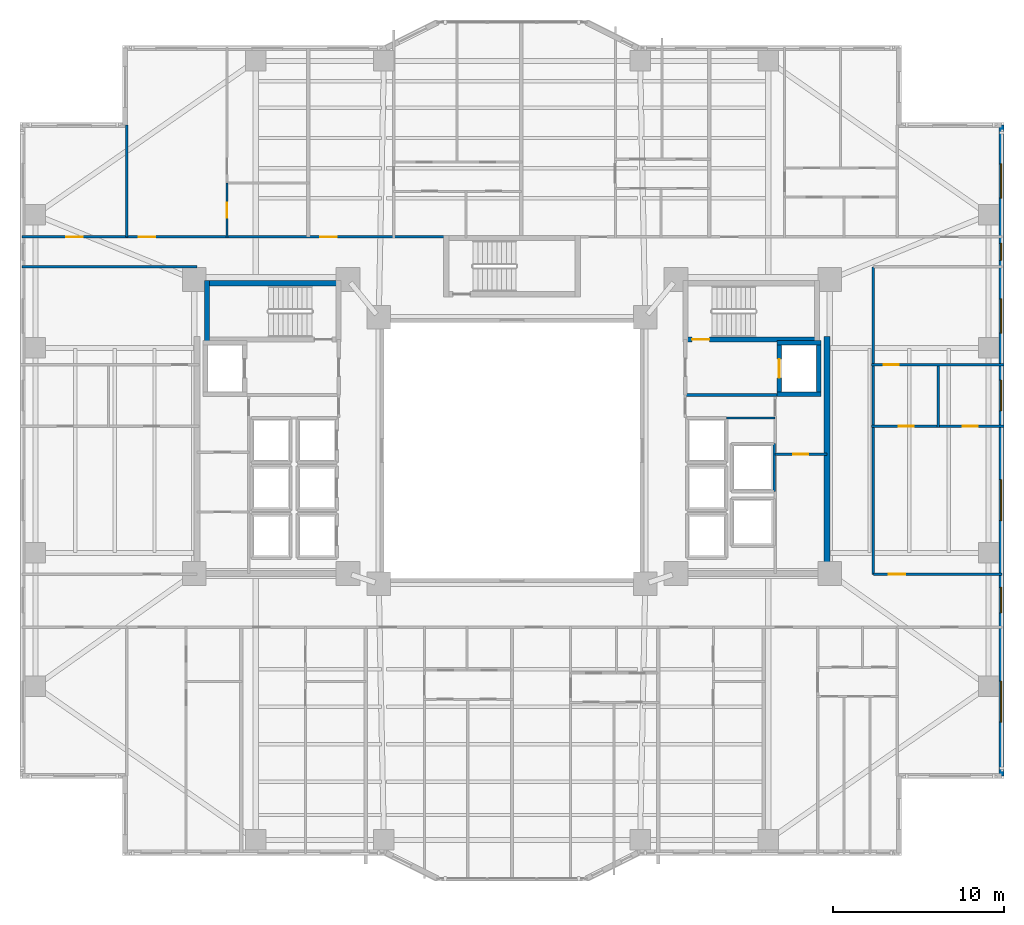
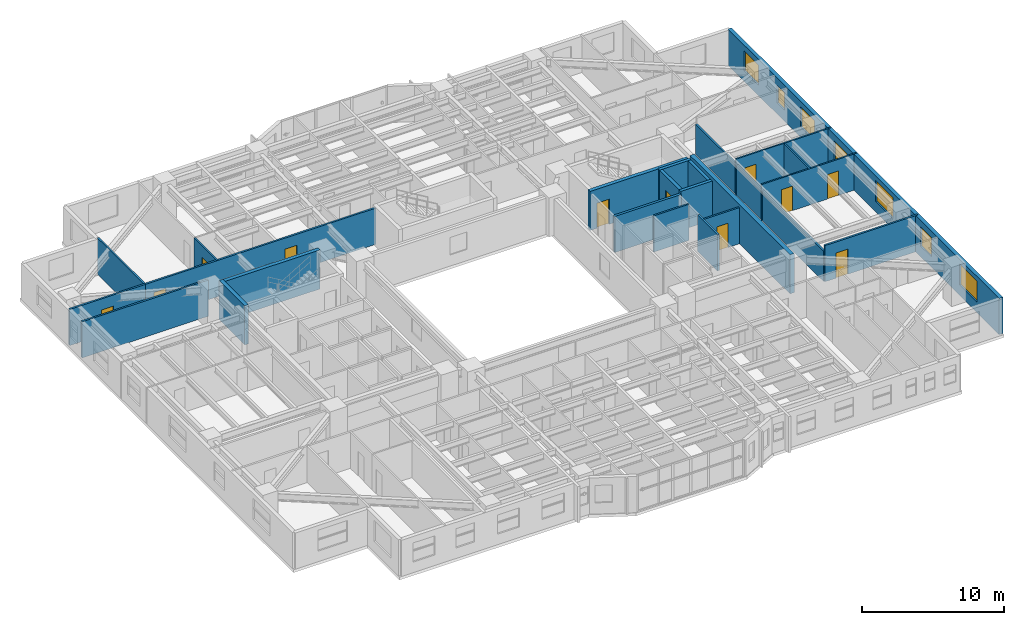
# One storey, part 14 of 22: 23 walls, 11 doors, 7 windows, 18 openings.
"""IFC4 building model written with IfcOpenShell, lengths in metres."""

import ifcopenshell
import ifcopenshell.guid

model = None  # the IFC model being written
_history = None  # IfcOwnerHistory: only IFC2X3 demands one
_inside = {}  # id of a spatial element -> (the spatial element, [elements in it])
_under = {}  # id of a project, library or spatial element -> (it, [spatial elements below it])
_declared = {}  # id of a project -> (the project, [libraries it declares])
_typed = {}  # id of a type object -> (the type object, [elements of that type])
_made_of = {}  # id of a material, layer set ... -> (it, [elements and type objects made of it])


def new_model(schema):
    """Start an empty IFC model of exactly this schema.

    Asked for "IFC4X3", IfcOpenShell would pick the latest addendum, in which some entities
    have other attributes; the version numbers below select the first issue.
    IFC2X3 requires an IfcOwnerHistory on every rooted entity: one is made here for all.
    """
    global model, _history
    if schema == "IFC4X3":
        model = ifcopenshell.file(schema_version=(4, 3, 0, 0))
    else:
        model = ifcopenshell.file(schema=schema)
    _inside.clear()
    _under.clear()
    _declared.clear()
    _typed.clear()
    _made_of.clear()
    _history = None
    if model.schema == "IFC2X3":
        org = make("IfcOrganization", Name="unknown")
        user = make(
            "IfcPersonAndOrganization",
            ThePerson=make("IfcPerson", FamilyName="unknown"),
            TheOrganization=org,
        )
        app = make(
            "IfcApplication",
            ApplicationDeveloper=org,
            Version="unknown",
            ApplicationFullName="unknown",
            ApplicationIdentifier="unknown",
        )
        _history = make(
            "IfcOwnerHistory",
            OwningUser=user,
            OwningApplication=app,
            ChangeAction="ADDED",
            CreationDate=0,
        )
    return model


def make(cls, **values):
    """One entity of the class cls with the attributes given. An attribute that is None is left unset."""
    return model.create_entity(
        cls, **{name: value for name, value in values.items() if value is not None}
    )


def rooted(cls, **values):
    """An entity with a GlobalId (a new one), such as an element, a storey or a relation."""
    return make(cls, GlobalId=ifcopenshell.guid.new(), OwnerHistory=_history, **values)


def si_unit(unit_type, name, prefix=None):
    """IfcSIUnit, for example si_unit("LENGTHUNIT", "METRE", prefix="MILLI")."""
    return make("IfcSIUnit", UnitType=unit_type, Prefix=prefix, Name=name)


def assignment(units):
    """IfcUnitAssignment: the units of a project."""
    return None if units is None else make("IfcUnitAssignment", Units=units)


def point(xyz):
    """IfcCartesianPoint."""
    return None if xyz is None else make("IfcCartesianPoint", Coordinates=xyz)


def direction(xyz):
    """IfcDirection."""
    return None if xyz is None else make("IfcDirection", DirectionRatios=xyz)


def frame(location, z_axis=None, x_axis=None):
    """IfcAxis2Placement3D, a coordinate frame: its origin and axes. An axis left out is left unset."""
    return make(
        "IfcAxis2Placement3D",
        Location=point(location),
        Axis=direction(z_axis),
        RefDirection=direction(x_axis),
    )


def frame_2d(location, x_axis=None):
    """IfcAxis2Placement2D, a coordinate frame in the plane: its origin and x axis."""
    return make(
        "IfcAxis2Placement2D", Location=point(location), RefDirection=direction(x_axis)
    )


def origin():
    """The frame at (0, 0, 0) with its axes left unset."""
    return frame((0.0, 0.0, 0.0))


def place(relative_to, where):
    """IfcLocalPlacement: puts the frame where relative to a parent placement (None: the world)."""
    return make(
        "IfcLocalPlacement", PlacementRelTo=relative_to, RelativePlacement=where
    )


def context(
    kind, dimensions, precision=None, world=None, true_north=None, identifier=None
):
    """IfcGeometricRepresentationContext, for example the 3D "Model" context."""
    return make(
        "IfcGeometricRepresentationContext",
        ContextIdentifier=identifier,
        ContextType=kind,
        CoordinateSpaceDimension=dimensions,
        Precision=precision,
        WorldCoordinateSystem=world,
        TrueNorth=true_north,
    )


def subcontext(parent, identifier, kind, view, scale=None):
    """IfcGeometricRepresentationSubContext, for example "Body" below "Model"."""
    return make(
        "IfcGeometricRepresentationSubContext",
        ContextIdentifier=identifier,
        ContextType=kind,
        ParentContext=parent,
        TargetScale=scale,
        TargetView=view,
    )


def project(units=None, contexts=None):
    """IfcProject with its units and contexts."""
    return rooted(
        "IfcProject",
        Name="project",
        RepresentationContexts=contexts,
        UnitsInContext=assignment(units),
    )


def spatial(cls, under=None, at=None, **own):
    """A site, building, storey or space (cls), placed at a placement, below another one or the project."""
    s = rooted(cls, ObjectPlacement=at, **own)
    if under is not None:
        _under.setdefault(under.id(), (under, []))[1].append(s)
    return s


def profile(cls, at=None, kind="AREA", **sizes):
    """A parametric profile (cls). Its sizes go by their IFC names, for example OverallWidth=200.0."""
    return make(cls, ProfileType=kind, Position=at, **sizes)


def rectangle(**sizes):
    """IfcRectangleProfileDef."""
    return profile("IfcRectangleProfileDef", **sizes)


def extrude(swept, where, along, depth):
    """IfcExtrudedAreaSolid: the profile swept, set in the frame where, extruded along a direction by depth."""
    return make(
        "IfcExtrudedAreaSolid",
        SweptArea=swept,
        Position=where,
        ExtrudedDirection=direction(along),
        Depth=depth,
    )


def shape(context_of_items, identifier, shape_type, items):
    """IfcShapeRepresentation: the items that make up one representation, for example the "Body"."""
    return make(
        "IfcShapeRepresentation",
        ContextOfItems=context_of_items,
        RepresentationIdentifier=identifier,
        RepresentationType=shape_type,
        Items=items,
    )


def material(Name=None, Category=None):
    """IfcMaterial."""
    return make("IfcMaterial", Name=Name, Category=Category)


def layer(
    of_material, thickness, ventilated=None, Name=None, Category=None, Priority=None
):
    """IfcMaterialLayer: one layer of a wall or slab, of a material (None: an air gap)."""
    return make(
        "IfcMaterialLayer",
        Material=of_material,
        LayerThickness=thickness,
        IsVentilated=ventilated,
        Name=Name,
        Category=Category,
        Priority=Priority,
    )


def layer_set(layers, Name=None):
    """IfcMaterialLayerSet."""
    return make("IfcMaterialLayerSet", MaterialLayers=layers, LayerSetName=Name)


def made_of(thing, what):
    """Note that an element or type object is made of a material, layer set ...; save() writes the relation."""
    if what is not None:
        _made_of.setdefault(what.id(), (what, []))[1].append(thing)
    return thing


def type_object(cls, material=None, **own):
    """A type object (cls), such as IfcWallType, which elements share."""
    return made_of(rooted(cls, **own), material)


def element(
    cls,
    number,
    at=None,
    inside=None,
    cuts=None,
    type_object=None,
    material=None,
    context=None,
    identifier="Body",
    shape_type=None,
    held_by="IfcProductDefinitionShape",
    body=None,
    shapes=None,
    **own,
):
    """One element of the class cls, such as IfcWall. Its Tag is "e" and its number.

    at: its placement. inside: the storey or other place that contains it. cuts: it is an
    opening in that element (IfcRelVoidsElement). A single representation is given by context,
    identifier, shape_type and body (its items); several are given by shapes. held_by: the class
    of the entity that holds the representations. save() writes the other relations.
    """
    e = rooted(cls, Tag="e%d" % number, ObjectPlacement=at, **own)
    if body is not None:
        shapes = [shape(context, identifier, shape_type, body)]
    if shapes is not None:
        e.Representation = make(held_by, Representations=shapes)
    if inside is not None:
        _inside.setdefault(inside.id(), (inside, []))[1].append(e)
    if cuts is not None:
        rooted(
            "IfcRelVoidsElement", RelatingBuildingElement=cuts, RelatedOpeningElement=e
        )
    if type_object is not None:
        _typed.setdefault(type_object.id(), (type_object, []))[1].append(e)
    return made_of(e, material)


def fill(opening, filler):
    """IfcRelFillsElement: the door or window that sits in an opening."""
    return rooted(
        "IfcRelFillsElement",
        RelatingOpeningElement=opening,
        RelatedBuildingElement=filler,
    )


def aggregate(whole, parts):
    """IfcRelAggregates: a whole, such as a stair, and the parts it consists of."""
    return rooted("IfcRelAggregates", RelatingObject=whole, RelatedObjects=parts)


def save(model, path):
    """Write the relations noted so far, then the file.

    IfcRelAggregates (storeys below a building ...), IfcRelContainedInSpatialStructure (elements
    in a storey), IfcRelDefinesByType, IfcRelAssociatesMaterial and IfcRelDeclares: one each for
    every whole, place, type object, material and project.
    """
    for whole, parts in _under.values():
        aggregate(whole, parts)
    for where, things in _inside.values():
        rooted(
            "IfcRelContainedInSpatialStructure",
            RelatedElements=things,
            RelatingStructure=where,
        )
    for kind, things in _typed.values():
        rooted("IfcRelDefinesByType", RelatedObjects=things, RelatingType=kind)
    for what, things in _made_of.values():
        rooted("IfcRelAssociatesMaterial", RelatedObjects=things, RelatingMaterial=what)
    for by, libraries in _declared.values():
        rooted("IfcRelDeclares", RelatingContext=by, RelatedDefinitions=libraries)
    model.write(path)


model = new_model("IFC4")

# Units and contexts
model_context = context("Model", 3, precision=1e-05, world=origin(), true_north=direction((0.0, 1.0)))
body_context = subcontext(model_context, "Body", "Model", "MODEL_VIEW")
ifc_project = project(units=[si_unit("LENGTHUNIT", "METRE"), si_unit("AREAUNIT", "SQUARE_METRE"), si_unit("VOLUMEUNIT", "CUBIC_METRE"), si_unit("PLANEANGLEUNIT", "RADIAN"), si_unit("MASSUNIT", "GRAM", prefix="KILO")], contexts=[model_context])

# Site, building, storey
site_placement = place(None, origin())
site = spatial("IfcSite", under=ifc_project, at=site_placement, CompositionType="ELEMENT")
building_placement = place(site_placement, origin())
building = spatial("IfcBuilding", under=site, at=building_placement, Name="Tarnavaz Court Tower", CompositionType="ELEMENT")
storey_placement = place(building_placement, frame((0.0, 0.0, 27.35009765625)))
storey = spatial("IfcBuildingStorey", under=building, at=storey_placement, Name="L06", CompositionType="ELEMENT", Elevation=27.35009765625)

# Wall, opening, door
ifc_material_1 = material(Name="Concrete C60/75", Category="concrete")
ifc_layer_1 = layer(ifc_material_1, 0.25)
ifc_layer_set_1 = layer_set([ifc_layer_1], Name="Concrete C60/75")
wall_type_1 = type_object("IfcWallType", Name="WL-CORE-250-C60", PredefinedType="SHEAR", material=ifc_layer_set_1)
wall_1_placement = place(storey_placement, frame((15.64990234375, 3.175048828125, 0.0), z_axis=(0.0, 0.0, 1.0), x_axis=(0.0, 1.0, 0.0)))
wall_1 = element("IfcWall", 1, at=wall_1_placement, inside=storey, type_object=wall_type_1, Name="L06 Lift FL-E1 Shaft Wall 045", PredefinedType="SHEAR", context=body_context, shape_type="SweptSolid", body=[
    extrude(rectangle(XDim=3.25, YDim=0.25, at=frame_2d((1.625, 0.0))), origin(), (0.0, 0.0, 1.0), 3.349853515625),
])
opening_1_placement = place(wall_1_placement, frame((1.074951171875, 0.0, 0.0)))
opening_1 = element("IfcOpeningElement", 2, at=opening_1_placement, cuts=wall_1, Name="Opening LD1", PredefinedType="OPENING", context=body_context, shape_type="SweptSolid", body=[
    extrude(rectangle(XDim=1.10009765625, YDim=2.14990234375, at=frame_2d((0.550048828125, 1.074951171875))), frame((0.0, 0.135009765625, 0.0), z_axis=(0.0, -1.0, 0.0), x_axis=(1.0, 0.0, 0.0)), (0.0, 0.0, 1.0), 0.27001953125),
])
ifc_material_2 = material(Name="Stainless Steel", Category="steel")
door_type_1 = type_object("IfcDoorType", Name="DR-LD-1100", OperationType="NOTDEFINED", PredefinedType="DOOR", material=ifc_material_2)
door_1_placement = place(opening_1_placement, origin())
door_1 = element("IfcDoor", 3, at=door_1_placement, inside=storey, type_object=door_type_1, Name="L06 Lift Landing Door LD-FL-E1", OperationType="SLIDING_TO_LEFT", OverallHeight=2.14990234375, OverallWidth=1.10009765625, PredefinedType="DOOR", context=body_context, shape_type="SweptSolid", body=[
    extrude(rectangle(XDim=1.10009765625, YDim=2.14990234375, at=frame_2d((0.550048828125, 1.074951171875))), frame((0.0, 0.02490234375, 0.0), z_axis=(0.0, -1.0, 0.0), x_axis=(1.0, 0.0, 0.0)), (0.0, 0.0, 1.0), 0.050048828125),
])
fill(opening_1, door_1)

# Walls
wall_2_placement = place(storey_placement, frame((17.949951171875, 3.175048828125, 0.0), z_axis=(0.0, 0.0, 1.0), x_axis=(0.0, 1.0, 0.0)))
element("IfcWall", 4, at=wall_2_placement, inside=storey, type_object=wall_type_1, Name="L06 Lift FL-E1 Shaft Wall 046", PredefinedType="SHEAR", context=body_context, shape_type="SweptSolid", body=[
    extrude(rectangle(XDim=3.25, YDim=0.25, at=frame_2d((1.625, 0.0))), origin(), (0.0, 0.0, 1.0), 3.349853515625),
])
for number, where, z_axis, x_axis, name in (
    (5, (15.52490234375, 3.300048828125, 0.0), (0.0, 0.0, 1.0), (1.0, 0.0, 0.0), "L06 Lift FL-E1 Shaft Wall 047"),
    (6, (15.52490234375, 6.300048828125, 0.0), (0.0, 0.0, 1.0), (1.0, 0.0, 0.0), "L06 Lift FL-E1 Shaft Wall 048"),
):
    element("IfcWall", number, at=place(storey_placement, frame(where, z_axis=z_axis, x_axis=x_axis)), inside=storey, type_object=wall_type_1, Name=name, PredefinedType="SHEAR", context=body_context, shape_type="SweptSolid", body=[
        extrude(rectangle(XDim=2.550048828125, YDim=0.25, at=frame_2d((1.27490234375, 0.0))), origin(), (0.0, 0.0, 1.0), 3.349853515625),
    ])
ifc_layer_2 = layer(ifc_material_1, 0.300048828125)
ifc_layer_set_2 = layer_set([ifc_layer_2], Name="Concrete C60/75")
wall_type_2 = type_object("IfcWallType", Name="WL-CORE-300-C60", PredefinedType="SHEAR", material=ifc_layer_set_2)
wall_3_placement = place(storey_placement, frame((-18.0, 9.7900390625, 0.0), z_axis=(0.0, 0.0, 1.0), x_axis=(1.0, 0.0, 0.0)))
element("IfcWall", 7, at=wall_3_placement, inside=storey, type_object=wall_type_2, Name="L06 West Stair Core Wall 001", PredefinedType="SHEAR", context=body_context, shape_type="SweptSolid", body=[
    extrude(rectangle(XDim=8.0, YDim=0.300048828125, at=frame_2d((4.0, 0.0))), origin(), (0.0, 0.0, 1.0), 3.349853515625),
])
wall_4_placement = place(storey_placement, frame((-17.85009765625, 6.35009765625, 0.0), z_axis=(0.0, 0.0, 1.0), x_axis=(0.0, 1.0, 0.0)))
element("IfcWall", 8, at=wall_4_placement, inside=storey, type_object=wall_type_2, Name="L06 West Stair Core Wall 003", PredefinedType="SHEAR", context=body_context, shape_type="SweptSolid", body=[
    extrude(rectangle(XDim=3.58984375, YDim=0.300048828125, at=frame_2d((1.794921875, 0.0))), origin(), (0.0, 0.0, 1.0), 3.349853515625),
])

# Wall, opening, door
wall_5_placement = place(storey_placement, frame((10.0, 6.5, 0.0), z_axis=(0.0, 0.0, 1.0), x_axis=(1.0, 0.0, 0.0)))
wall_5 = element("IfcWall", 9, at=wall_5_placement, inside=storey, type_object=wall_type_2, Name="L06 East Stair Core Wall 006", PredefinedType="SHEAR", context=body_context, shape_type="SweptSolid", body=[
    extrude(rectangle(XDim=8.0, YDim=0.300048828125, at=frame_2d((4.0, 0.0))), origin(), (0.0, 0.0, 1.0), 3.349853515625),
])
opening_2_placement = place(wall_5_placement, frame((0.550048828125, 0.0, 0.0)))
opening_2 = element("IfcOpeningElement", 10, at=opening_2_placement, cuts=wall_5, Name="Opening D01", PredefinedType="OPENING", context=body_context, shape_type="SweptSolid", body=[
    extrude(rectangle(XDim=1.0, YDim=2.14990234375, at=frame_2d((0.5, 1.074951171875))), frame((0.0, 0.159912109375, 0.0), z_axis=(0.0, -1.0, 0.0), x_axis=(1.0, 0.0, 0.0)), (0.0, 0.0, 1.0), 0.320068359375),
])
ifc_material_3 = material(Name="Fire-Rated Hardwood Timber Core", Category="wood")
door_type_2 = type_object("IfcDoorType", Name="DR-FD90-1000", OperationType="NOTDEFINED", PredefinedType="DOOR", material=ifc_material_3)
door_2_placement = place(opening_2_placement, origin())
door_2 = element("IfcDoor", 11, at=door_2_placement, inside=storey, type_object=door_type_2, Name="L06 Stair ST-E1 Exit Door", OperationType="SINGLE_SWING_RIGHT", OverallHeight=2.14990234375, OverallWidth=1.0, PredefinedType="DOOR", context=body_context, shape_type="SweptSolid", body=[
    extrude(rectangle(XDim=1.0, YDim=2.14990234375, at=frame_2d((0.5, 1.074951171875))), frame((0.0, 0.02490234375, 0.0), z_axis=(0.0, -1.0, 0.0), x_axis=(1.0, 0.0, 0.0)), (0.0, 0.0, 1.0), 0.050048828125),
])
fill(opening_2, door_2)

# Wall
ifc_layer_3 = layer(ifc_material_1, 0.35009765625)
ifc_layer_set_3 = layer_set([ifc_layer_3], Name="Concrete C60/75")
wall_type_3 = type_object("IfcWallType", Name="WL-CORE-350-C60", PredefinedType="SHEAR", material=ifc_layer_set_3)
wall_6_placement = place(storey_placement, frame((18.449951171875, -7.375, 0.0), z_axis=(0.0, 0.0, 1.0), x_axis=(0.0, 1.0, 0.0)))
element("IfcWall", 12, at=wall_6_placement, inside=storey, type_object=wall_type_3, Name="L06 East Core Shear Wall 071", PredefinedType="SHEAR", context=body_context, shape_type="SweptSolid", body=[
    extrude(rectangle(XDim=14.050048828125, YDim=0.35009765625, at=frame_2d((7.02490234375, 0.0))), origin(), (0.0, 0.0, 1.0), 3.349853515625),
])

# Wall, openings, windows
ifc_material_4 = material(Name="Precast Concrete C40/50", Category="concrete")
ifc_layer_4 = layer(ifc_material_4, 0.300048828125)
ifc_layer_set_4 = layer_set([ifc_layer_4], Name="Precast Concrete C40/50")
wall_type_4 = type_object("IfcWallType", Name="WL-EXT-300", PredefinedType="SOLIDWALL", material=ifc_layer_set_4)
wall_7_placement = place(storey_placement, frame((28.64990234375, 19.050048828125, 0.0), z_axis=(0.0, 0.0, 1.0), x_axis=(0.0, -1.0, 0.0)))
wall_7 = element("IfcWall", 13, at=wall_7_placement, inside=storey, type_object=wall_type_4, Name="L06 Exterior Terracotta Facade Wall 12", PredefinedType="SOLIDWALL", context=body_context, shape_type="SweptSolid", body=[
    extrude(rectangle(XDim=38.10009765625, YDim=0.300048828125, at=frame_2d((19.050048828125, 0.0))), origin(), (0.0, 0.0, 1.0), 3.099853515625),
])
opening_3_placement = place(wall_7_placement, frame((2.27490234375, 0.0, 0.89990234375)))
opening_3 = element("IfcOpeningElement", 14, at=opening_3_placement, cuts=wall_7, Name="Opening W08", PredefinedType="OPENING", context=body_context, shape_type="SweptSolid", body=[
    extrude(rectangle(XDim=2.0, YDim=1.699951171875, at=frame_2d((1.0, 0.85009765625))), frame((0.0, 0.159912109375, 0.0), z_axis=(0.0, -1.0, 0.0), x_axis=(1.0, 0.0, 0.0)), (0.0, 0.0, 1.0), 0.320068359375),
])
opening_4_placement = place(wall_7_placement, frame((6.925048828125, 0.0, 0.949951171875)))
opening_4 = element("IfcOpeningElement", 15, at=opening_4_placement, cuts=wall_7, Name="Opening W14", PredefinedType="OPENING", context=body_context, shape_type="SweptSolid", body=[
    extrude(rectangle(XDim=1.0, YDim=1.5, at=frame_2d((0.5, 0.75))), frame((0.0, 0.159912109375, 0.0), z_axis=(0.0, -1.0, 0.0), x_axis=(1.0, 0.0, 0.0)), (0.0, 0.0, 1.0), 0.320068359375),
])
opening_5_placement = place(wall_7_placement, frame((10.175048828125, 0.0, 0.89990234375)))
opening_5 = element("IfcOpeningElement", 16, at=opening_5_placement, cuts=wall_7, Name="Opening W08", PredefinedType="OPENING", context=body_context, shape_type="SweptSolid", body=[
    extrude(rectangle(XDim=2.0, YDim=1.699951171875, at=frame_2d((1.0, 0.85009765625))), frame((0.0, 0.159912109375, 0.0), z_axis=(0.0, -1.0, 0.0), x_axis=(1.0, 0.0, 0.0)), (0.0, 0.0, 1.0), 0.320068359375),
])
opening_6_placement = place(wall_7_placement, frame((14.925048828125, 0.0, 0.89990234375)))
opening_6 = element("IfcOpeningElement", 17, at=opening_6_placement, cuts=wall_7, Name="Opening W01", PredefinedType="OPENING", context=body_context, shape_type="SweptSolid", body=[
    extrude(rectangle(XDim=1.800048828125, YDim=1.64990234375, at=frame_2d((0.89990234375, 0.824951171875))), frame((0.0, 0.159912109375, 0.0), z_axis=(0.0, -1.0, 0.0), x_axis=(1.0, 0.0, 0.0)), (0.0, 0.0, 1.0), 0.320068359375),
])
opening_7_placement = place(wall_7_placement, frame((20.75, 0.0, 0.89990234375)))
opening_7 = element("IfcOpeningElement", 18, at=opening_7_placement, cuts=wall_7, Name="Opening W06", PredefinedType="OPENING", context=body_context, shape_type="SweptSolid", body=[
    extrude(rectangle(XDim=2.39990234375, YDim=1.800048828125, at=frame_2d((1.199951171875, 0.89990234375))), frame((0.0, 0.159912109375, 0.0), z_axis=(0.0, -1.0, 0.0), x_axis=(1.0, 0.0, 0.0)), (0.0, 0.0, 1.0), 0.320068359375),
])
opening_8_placement = place(wall_7_placement, frame((27.0576171875, 0.0, 0.89990234375)))
opening_8 = element("IfcOpeningElement", 19, at=opening_8_placement, cuts=wall_7, Name="Opening W03", PredefinedType="OPENING", context=body_context, shape_type="SweptSolid", body=[
    extrude(rectangle(XDim=1.5, YDim=1.64990234375, at=frame_2d((0.75, 0.824951171875))), frame((0.0, 0.159912109375, 0.0), z_axis=(0.0, -1.0, 0.0), x_axis=(1.0, 0.0, 0.0)), (0.0, 0.0, 1.0), 0.320068359375),
])
opening_9_placement = place(wall_7_placement, frame((32.550048828125, 0.0, 0.89990234375)))
opening_9 = element("IfcOpeningElement", 20, at=opening_9_placement, cuts=wall_7, Name="Opening W06", PredefinedType="OPENING", context=body_context, shape_type="SweptSolid", body=[
    extrude(rectangle(XDim=2.39990234375, YDim=1.800048828125, at=frame_2d((1.199951171875, 0.89990234375))), frame((0.0, 0.159912109375, 0.0), z_axis=(0.0, -1.0, 0.0), x_axis=(1.0, 0.0, 0.0)), (0.0, 0.0, 1.0), 0.320068359375),
])
ifc_material_5 = material(Name="Double-Glazed Solar Low-E Glass", Category="glass")
window_type_1 = type_object("IfcWindowType", Name="WN-APT-1000", PartitioningType="SINGLE_PANEL", PredefinedType="WINDOW", material=ifc_material_5)
window_1_placement = place(opening_4_placement, origin())
window_1 = element("IfcWindow", 21, at=window_1_placement, inside=storey, type_object=window_type_1, Name="L06 North-East Corner Corridor Window", OverallHeight=1.5, OverallWidth=1.0, PartitioningType="SINGLE_PANEL", PredefinedType="WINDOW", context=body_context, shape_type="SweptSolid", body=[
    extrude(rectangle(XDim=1.0, YDim=1.5, at=frame_2d((0.5, 0.75))), frame((0.0, 0.030029296875, 0.0), z_axis=(0.0, -1.0, 0.0), x_axis=(1.0, 0.0, 0.0)), (0.0, 0.0, 1.0), 0.06005859375),
])
fill(opening_4, window_1)
window_type_2 = type_object("IfcWindowType", Name="WN-APT-1500", PartitioningType="DOUBLE_PANEL_VERTICAL", PredefinedType="WINDOW", material=ifc_material_5)
window_2_placement = place(opening_8_placement, origin())
window_2 = element("IfcWindow", 22, at=window_2_placement, inside=storey, type_object=window_type_2, Name="L06 South-East Corner Corridor Window", OverallHeight=1.64990234375, OverallWidth=1.5, PartitioningType="SINGLE_PANEL", PredefinedType="WINDOW", context=body_context, shape_type="SweptSolid", body=[
    extrude(rectangle(XDim=1.5, YDim=1.64990234375, at=frame_2d((0.75, 0.824951171875))), frame((0.0, 0.030029296875, 0.0), z_axis=(0.0, -1.0, 0.0), x_axis=(1.0, 0.0, 0.0)), (0.0, 0.0, 1.0), 0.06005859375),
])
fill(opening_8, window_2)
window_type_3 = type_object("IfcWindowType", Name="WN-APT-1800", PartitioningType="DOUBLE_PANEL_VERTICAL", PredefinedType="WINDOW", material=ifc_material_5)
window_3_placement = place(opening_6_placement, origin())
window_3 = element("IfcWindow", 23, at=window_3_placement, inside=storey, type_object=window_type_3, Name="L06 Flat 12 Bathroom Window", OverallHeight=1.64990234375, OverallWidth=1.800048828125, PartitioningType="SINGLE_PANEL", PredefinedType="WINDOW", context=body_context, shape_type="SweptSolid", body=[
    extrude(rectangle(XDim=1.800048828125, YDim=1.64990234375, at=frame_2d((0.89990234375, 0.824951171875))), frame((0.0, 0.030029296875, 0.0), z_axis=(0.0, -1.0, 0.0), x_axis=(1.0, 0.0, 0.0)), (0.0, 0.0, 1.0), 0.06005859375),
])
fill(opening_6, window_3)
window_type_4 = type_object("IfcWindowType", Name="WN-APT-2000", PartitioningType="DOUBLE_PANEL_VERTICAL", PredefinedType="WINDOW", material=ifc_material_5)
window_4_placement = place(opening_3_placement, origin())
window_4 = element("IfcWindow", 24, at=window_4_placement, inside=storey, type_object=window_type_4, Name="L06 North-East Corner Sunroom Study Window", OverallHeight=1.699951171875, OverallWidth=2.0, PartitioningType="SINGLE_PANEL", PredefinedType="WINDOW", context=body_context, shape_type="SweptSolid", body=[
    extrude(rectangle(XDim=2.0, YDim=1.699951171875, at=frame_2d((1.0, 0.85009765625))), frame((0.0, 0.030029296875, 0.0), z_axis=(0.0, -1.0, 0.0), x_axis=(1.0, 0.0, 0.0)), (0.0, 0.0, 1.0), 0.06005859375),
])
fill(opening_3, window_4)
window_5_placement = place(opening_5_placement, origin())
window_5 = element("IfcWindow", 25, at=window_5_placement, inside=storey, type_object=window_type_4, Name="L06 Flat 12 Study Room Window", OverallHeight=1.699951171875, OverallWidth=2.0, PartitioningType="SINGLE_PANEL", PredefinedType="WINDOW", context=body_context, shape_type="SweptSolid", body=[
    extrude(rectangle(XDim=2.0, YDim=1.699951171875, at=frame_2d((1.0, 0.85009765625))), frame((0.0, 0.030029296875, 0.0), z_axis=(0.0, -1.0, 0.0), x_axis=(1.0, 0.0, 0.0)), (0.0, 0.0, 1.0), 0.06005859375),
])
fill(opening_5, window_5)
window_type_5 = type_object("IfcWindowType", Name="WN-APT-2400", PartitioningType="TRIPLE_PANEL_VERTICAL", PredefinedType="WINDOW", material=ifc_material_5)
window_6_placement = place(opening_7_placement, origin())
window_6 = element("IfcWindow", 26, at=window_6_placement, inside=storey, type_object=window_type_5, Name="L06 Flat 12 Studio Living and Sleeping Room Window", OverallHeight=1.800048828125, OverallWidth=2.39990234375, PartitioningType="SINGLE_PANEL", PredefinedType="WINDOW", context=body_context, shape_type="SweptSolid", body=[
    extrude(rectangle(XDim=2.39990234375, YDim=1.800048828125, at=frame_2d((1.199951171875, 0.89990234375))), frame((0.0, 0.030029296875, 0.0), z_axis=(0.0, -1.0, 0.0), x_axis=(1.0, 0.0, 0.0)), (0.0, 0.0, 1.0), 0.06005859375),
])
fill(opening_7, window_6)
window_7_placement = place(opening_9_placement, origin())
window_7 = element("IfcWindow", 27, at=window_7_placement, inside=storey, type_object=window_type_5, Name="L06 South-East Corner Reading Room Window", OverallHeight=1.800048828125, OverallWidth=2.39990234375, PartitioningType="SINGLE_PANEL", PredefinedType="WINDOW", context=body_context, shape_type="SweptSolid", body=[
    extrude(rectangle(XDim=2.39990234375, YDim=1.800048828125, at=frame_2d((1.199951171875, 0.89990234375))), frame((0.0, 0.030029296875, 0.0), z_axis=(0.0, -1.0, 0.0), x_axis=(1.0, 0.0, 0.0)), (0.0, 0.0, 1.0), 0.06005859375),
])
fill(opening_9, window_7)

# Wall, openings, doors
ifc_material_6 = material(Name="Gypsum Fire-Board on Acoustic Metal Stud", Category="masonry")
ifc_layer_5 = layer(ifc_material_6, 0.14990234375)
ifc_layer_set_5 = layer_set([ifc_layer_5], Name="Gypsum Fire-Board on Acoustic Metal Stud")
wall_type_5 = type_object("IfcWallType", Name="WL-FIRE-150", PredefinedType="PARTITIONING", material=ifc_layer_set_5)
wall_8_placement = place(storey_placement, frame((-22.550048828125, 12.5, 0.0), z_axis=(0.0, 0.0, 1.0), x_axis=(1.0, 0.0, 0.0)))
wall_8 = element("IfcWall", 28, at=wall_8_placement, inside=storey, type_object=wall_type_5, Name="L06 NW Wing Corridor Wall 082", PredefinedType="PARTITIONING", context=body_context, shape_type="SweptSolid", body=[
    extrude(rectangle(XDim=18.699951171875, YDim=0.14990234375, at=frame_2d((9.35009765625, 0.0))), origin(), (0.0, 0.0, 1.0), 3.099853515625),
])
opening_10_placement = place(wall_8_placement, frame((0.699951171875, 0.0, 0.0)))
opening_10 = element("IfcOpeningElement", 29, at=opening_10_placement, cuts=wall_8, Name="Opening D06", PredefinedType="OPENING", context=body_context, shape_type="SweptSolid", body=[
    extrude(rectangle(XDim=0.9599609375, YDim=2.14990234375, at=frame_2d((0.47998046875, 1.074951171875))), frame((0.0, 0.0849609375, 0.0), z_axis=(0.0, -1.0, 0.0), x_axis=(1.0, 0.0, 0.0)), (0.0, 0.0, 1.0), 0.169921875),
])
opening_11_placement = place(wall_8_placement, frame((11.325927734375, 0.0, 0.0)))
opening_11 = element("IfcOpeningElement", 30, at=opening_11_placement, cuts=wall_8, Name="Opening D06", PredefinedType="OPENING", context=body_context, shape_type="SweptSolid", body=[
    extrude(rectangle(XDim=0.9599609375, YDim=2.14990234375, at=frame_2d((0.47998046875, 1.074951171875))), frame((0.0, 0.0849609375, 0.0), z_axis=(0.0, -1.0, 0.0), x_axis=(1.0, 0.0, 0.0)), (0.0, 0.0, 1.0), 0.169921875),
])
door_type_3 = type_object("IfcDoorType", Name="DR-FD60-950", OperationType="NOTDEFINED", PredefinedType="DOOR", material=ifc_material_3)
door_3_placement = place(opening_10_placement, origin())
door_3 = element("IfcDoor", 31, at=door_3_placement, inside=storey, type_object=door_type_3, Name="L06 Flat 01 Entrance Door", OperationType="SINGLE_SWING_RIGHT", OverallHeight=2.14990234375, OverallWidth=0.9599609375, PredefinedType="DOOR", context=body_context, shape_type="SweptSolid", body=[
    extrude(rectangle(XDim=0.9599609375, YDim=2.14990234375, at=frame_2d((0.47998046875, 1.074951171875))), frame((0.0, 0.02490234375, 0.0), z_axis=(0.0, -1.0, 0.0), x_axis=(1.0, 0.0, 0.0)), (0.0, 0.0, 1.0), 0.050048828125),
])
fill(opening_10, door_3)
door_4_placement = place(opening_11_placement, origin())
door_4 = element("IfcDoor", 32, at=door_4_placement, inside=storey, type_object=door_type_3, Name="L06 Flat 02 Entrance Door", OperationType="SINGLE_SWING_LEFT", OverallHeight=2.14990234375, OverallWidth=0.9599609375, PredefinedType="DOOR", context=body_context, shape_type="SweptSolid", body=[
    extrude(rectangle(XDim=0.9599609375, YDim=2.14990234375, at=frame_2d((0.47998046875, 1.074951171875))), frame((0.0, 0.02490234375, 0.0), z_axis=(0.0, -1.0, 0.0), x_axis=(1.0, 0.0, 0.0)), (0.0, 0.0, 1.0), 0.050048828125),
])
fill(opening_11, door_4)

# Walls
wall_9_placement = place(storey_placement, frame((21.14990234375, -7.25, 0.0), z_axis=(0.0, 0.0, 1.0), x_axis=(0.0, 1.0, 0.0)))
element("IfcWall", 33, at=wall_9_placement, inside=storey, type_object=wall_type_5, Name="L06 East Outer Link Wall 084", PredefinedType="PARTITIONING", context=body_context, shape_type="SweptSolid", body=[
    extrude(rectangle(XDim=18.0, YDim=0.14990234375, at=frame_2d((9.0, 0.0))), origin(), (0.0, 0.0, 1.0), 2.5849609375),
])
wall_10_placement = place(storey_placement, frame((-28.679931640625, 10.75, 0.0), z_axis=(0.0, 0.0, 1.0), x_axis=(1.0, 0.0, 0.0)))
element("IfcWall", 34, at=wall_10_placement, inside=storey, type_object=wall_type_5, Name="L06 Interior Partition 146", PredefinedType="PARTITIONING", context=body_context, shape_type="SweptSolid", body=[
    extrude(rectangle(XDim=10.22998046875, YDim=0.14990234375, at=frame_2d((5.114990234375, 0.0))), origin(), (0.0, 0.0, 1.0), 3.099853515625),
])

# Wall, opening, door
wall_11_placement = place(storey_placement, frame((21.14990234375, -7.25, 0.0), z_axis=(0.0, 0.0, 1.0), x_axis=(1.0, 0.0, 0.0)))
wall_11 = element("IfcWall", 35, at=wall_11_placement, inside=storey, type_object=wall_type_5, Name="L06 Interior Partition 147", PredefinedType="PARTITIONING", context=body_context, shape_type="SweptSolid", body=[
    extrude(rectangle(XDim=7.530029296875, YDim=0.14990234375, at=frame_2d((3.76513671875, 0.0))), origin(), (0.0, 0.0, 1.0), 3.099853515625),
])
opening_12_placement = place(wall_11_placement, frame((0.89990234375, 0.0, 0.0)))
opening_12 = element("IfcOpeningElement", 36, at=opening_12_placement, cuts=wall_11, Name="Opening D06", PredefinedType="OPENING", context=body_context, shape_type="SweptSolid", body=[
    extrude(rectangle(XDim=0.9599609375, YDim=2.14990234375, at=frame_2d((0.47998046875, 1.074951171875))), frame((0.0, 0.0849609375, 0.0), z_axis=(0.0, -1.0, 0.0), x_axis=(1.0, 0.0, 0.0)), (0.0, 0.0, 1.0), 0.169921875),
])
door_5_placement = place(opening_12_placement, origin())
door_5 = element("IfcDoor", 37, at=door_5_placement, inside=storey, type_object=door_type_3, Name="L06 Flat 12 Entrance Door", OperationType="SINGLE_SWING_LEFT", OverallHeight=2.14990234375, OverallWidth=0.9599609375, PredefinedType="DOOR", context=body_context, shape_type="SweptSolid", body=[
    extrude(rectangle(XDim=0.9599609375, YDim=2.14990234375, at=frame_2d((0.47998046875, 1.074951171875))), frame((0.0, 0.02490234375, 0.0), z_axis=(0.0, -1.0, 0.0), x_axis=(1.0, 0.0, 0.0)), (0.0, 0.0, 1.0), 0.050048828125),
])
fill(opening_12, door_5)

wall_12_placement = place(storey_placement, frame((-28.679931640625, 12.5, 0.0), z_axis=(0.0, 0.0, 1.0), x_axis=(1.0, 0.0, 0.0)))
wall_12 = element("IfcWall", 38, at=wall_12_placement, inside=storey, type_object=wall_type_5, Name="L06 Interior Partition 153", PredefinedType="PARTITIONING", context=body_context, shape_type="SweptSolid", body=[
    extrude(rectangle(XDim=6.1298828125, YDim=0.14990234375, at=frame_2d((3.06494140625, 0.0))), origin(), (0.0, 0.0, 1.0), 3.099853515625),
])
opening_13_placement = place(wall_12_placement, frame((2.590087890625, 0.0, 0.0)))
opening_13 = element("IfcOpeningElement", 39, at=opening_13_placement, cuts=wall_12, Name="Opening D13", PredefinedType="OPENING", context=body_context, shape_type="SweptSolid", body=[
    extrude(rectangle(XDim=0.949951171875, YDim=2.14990234375, at=frame_2d((0.47509765625, 1.074951171875))), frame((0.0, 0.0849609375, 0.0), z_axis=(0.0, -1.0, 0.0), x_axis=(1.0, 0.0, 0.0)), (0.0, 0.0, 1.0), 0.169921875),
])
ifc_material_7 = material(Name="Engineered Oak Timber", Category="wood")
door_type_4 = type_object("IfcDoorType", Name="DR-INT-950", OperationType="NOTDEFINED", PredefinedType="DOOR", material=ifc_material_7)
door_6_placement = place(opening_13_placement, origin())
door_6 = element("IfcDoor", 40, at=door_6_placement, inside=storey, type_object=door_type_4, Name="L06 NW Sunroom Door", OperationType="SINGLE_SWING_LEFT", OverallHeight=2.14990234375, OverallWidth=0.949951171875, PredefinedType="DOOR", context=body_context, shape_type="SweptSolid", body=[
    extrude(rectangle(XDim=0.949951171875, YDim=2.14990234375, at=frame_2d((0.47509765625, 1.074951171875))), frame((0.0, 0.02490234375, 0.0), z_axis=(0.0, -1.0, 0.0), x_axis=(1.0, 0.0, 0.0)), (0.0, 0.0, 1.0), 0.050048828125),
])
fill(opening_13, door_6)

# Wall
ifc_material_8 = material(Name="Autoclaved Aerated Concrete Blockwork", Category="masonry")
ifc_layer_6 = layer(ifc_material_8, 0.199951171875)
ifc_layer_set_6 = layer_set([ifc_layer_6], Name="Autoclaved Aerated Concrete Blockwork")
wall_type_6 = type_object("IfcWallType", Name="WL-FIRE-200", PredefinedType="SOLIDWALL", material=ifc_layer_set_6)
wall_13_placement = place(storey_placement, frame((10.14990234375, 3.25, 0.0), z_axis=(0.0, 0.0, 1.0), x_axis=(1.0, 0.0, 0.0)))
element("IfcWall", 41, at=wall_13_placement, inside=storey, type_object=wall_type_6, Name="L06 East Firefighting Lobby Wall 015", PredefinedType="SOLIDWALL", context=body_context, shape_type="SweptSolid", body=[
    extrude(rectangle(XDim=5.400146484375, YDim=0.199951171875, at=frame_2d((2.7001953125, 0.0))), origin(), (0.0, 0.0, 1.0), 3.099853515625),
])

# Wall, opening, door
ifc_material_9 = material(Name="Moisture-Resistant Gypsum Board Partition", Category="masonry")
ifc_layer_7 = layer(ifc_material_9, 0.1201171875)
ifc_layer_set_7 = layer_set([ifc_layer_7], Name="Moisture-Resistant Gypsum Board Partition")
wall_type_7 = type_object("IfcWallType", Name="WL-PART-120", PredefinedType="PARTITIONING", material=ifc_layer_set_7)
wall_14_placement = place(storey_placement, frame((-16.68408203125, 12.43994140625, 0.0), z_axis=(0.0, 0.0, 1.0), x_axis=(0.0, 1.0, 0.0)))
wall_14 = element("IfcWall", 42, at=wall_14_placement, inside=storey, type_object=wall_type_7, Name="L06 Interior Partition 090", PredefinedType="PARTITIONING", context=body_context, shape_type="SweptSolid", body=[
    extrude(rectangle(XDim=3.2099609375, YDim=0.1201171875, at=frame_2d((1.60498046875, 0.0))), origin(), (0.0, 0.0, 1.0), 3.099853515625),
])
opening_14_placement = place(wall_14_placement, frame((1.195068359375, 0.0, 0.0)))
opening_14 = element("IfcOpeningElement", 43, at=opening_14_placement, cuts=wall_14, Name="Opening D14", PredefinedType="OPENING", context=body_context, shape_type="SweptSolid", body=[
    extrude(rectangle(XDim=0.8798828125, YDim=2.10009765625, at=frame_2d((0.43994140625, 1.050048828125))), frame((0.0, 0.070068359375, 0.0), z_axis=(0.0, -1.0, 0.0), x_axis=(1.0, 0.0, 0.0)), (0.0, 0.0, 1.0), 0.14013671875),
])
door_type_5 = type_object("IfcDoorType", Name="DR-INT-900", OperationType="NOTDEFINED", PredefinedType="DOOR", material=ifc_material_7)
door_7_placement = place(opening_14_placement, origin())
door_7 = element("IfcDoor", 44, at=door_7_placement, inside=storey, type_object=door_type_5, Name="L06 Flat 01 Bathroom Door", OperationType="SINGLE_SWING_LEFT", OverallHeight=2.10009765625, OverallWidth=0.8798828125, PredefinedType="DOOR", context=body_context, shape_type="SweptSolid", body=[
    extrude(rectangle(XDim=0.8798828125, YDim=2.10009765625, at=frame_2d((0.43994140625, 1.050048828125))), frame((0.0, 0.02490234375, 0.0), z_axis=(0.0, -1.0, 0.0), x_axis=(1.0, 0.0, 0.0)), (0.0, 0.0, 1.0), 0.050048828125),
])
fill(opening_14, door_7)

# Wall, openings, doors
wall_15_placement = place(storey_placement, frame((21.030029296875, 1.419921875, 0.0), z_axis=(0.0, 0.0, 1.0), x_axis=(1.0, 0.0, 0.0)))
wall_15 = element("IfcWall", 45, at=wall_15_placement, inside=storey, type_object=wall_type_7, Name="L06 Interior Partition 160", PredefinedType="PARTITIONING", context=body_context, shape_type="SweptSolid", body=[
    extrude(rectangle(XDim=7.77001953125, YDim=0.1201171875, at=frame_2d((3.885009765625, 0.0))), origin(), (0.0, 0.0, 1.0), 3.099853515625),
])
opening_15_placement = place(wall_15_placement, frame((1.614990234375, 0.0, 0.0)))
opening_15 = element("IfcOpeningElement", 46, at=opening_15_placement, cuts=wall_15, Name="Opening D14", PredefinedType="OPENING", context=body_context, shape_type="SweptSolid", body=[
    extrude(rectangle(XDim=0.8798828125, YDim=2.10009765625, at=frame_2d((0.43994140625, 1.050048828125))), frame((0.0, 0.070068359375, 0.0), z_axis=(0.0, -1.0, 0.0), x_axis=(1.0, 0.0, 0.0)), (0.0, 0.0, 1.0), 0.14013671875),
])
opening_16_placement = place(wall_15_placement, frame((5.344970703125, 0.0, 0.0)))
opening_16 = element("IfcOpeningElement", 47, at=opening_16_placement, cuts=wall_15, Name="Opening D14", PredefinedType="OPENING", context=body_context, shape_type="SweptSolid", body=[
    extrude(rectangle(XDim=0.8798828125, YDim=2.10009765625, at=frame_2d((0.43994140625, 1.050048828125))), frame((0.0, 0.070068359375, 0.0), z_axis=(0.0, -1.0, 0.0), x_axis=(1.0, 0.0, 0.0)), (0.0, 0.0, 1.0), 0.14013671875),
])
door_8_placement = place(opening_15_placement, origin())
door_8 = element("IfcDoor", 48, at=door_8_placement, inside=storey, type_object=door_type_5, Name="L06 Flat 12 Kitchen Door", OperationType="SINGLE_SWING_RIGHT", OverallHeight=2.10009765625, OverallWidth=0.8798828125, PredefinedType="DOOR", context=body_context, shape_type="SweptSolid", body=[
    extrude(rectangle(XDim=0.8798828125, YDim=2.10009765625, at=frame_2d((0.43994140625, 1.050048828125))), frame((0.0, 0.02490234375, 0.0), z_axis=(0.0, -1.0, 0.0), x_axis=(1.0, 0.0, 0.0)), (0.0, 0.0, 1.0), 0.050048828125),
])
fill(opening_15, door_8)
door_9_placement = place(opening_16_placement, origin())
door_9 = element("IfcDoor", 49, at=door_9_placement, inside=storey, type_object=door_type_5, Name="L06 Flat 12 Bathroom Door", OperationType="SINGLE_SWING_LEFT", OverallHeight=2.10009765625, OverallWidth=0.8798828125, PredefinedType="DOOR", context=body_context, shape_type="SweptSolid", body=[
    extrude(rectangle(XDim=0.8798828125, YDim=2.10009765625, at=frame_2d((0.43994140625, 1.050048828125))), frame((0.0, 0.02490234375, 0.0), z_axis=(0.0, -1.0, 0.0), x_axis=(1.0, 0.0, 0.0)), (0.0, 0.0, 1.0), 0.050048828125),
])
fill(opening_16, door_9)

# Wall, opening, door
wall_16_placement = place(storey_placement, frame((21.030029296875, 5.02001953125, 0.0), z_axis=(0.0, 0.0, 1.0), x_axis=(1.0, 0.0, 0.0)))
wall_16 = element("IfcWall", 50, at=wall_16_placement, inside=storey, type_object=wall_type_7, Name="L06 Interior Partition 161", PredefinedType="PARTITIONING", context=body_context, shape_type="SweptSolid", body=[
    extrude(rectangle(XDim=7.77001953125, YDim=0.1201171875, at=frame_2d((3.885009765625, 0.0))), origin(), (0.0, 0.0, 1.0), 3.099853515625),
])
opening_17_placement = place(wall_16_placement, frame((0.739990234375, 0.0, 0.0)))
opening_17 = element("IfcOpeningElement", 51, at=opening_17_placement, cuts=wall_16, Name="Opening D14", PredefinedType="OPENING", context=body_context, shape_type="SweptSolid", body=[
    extrude(rectangle(XDim=0.8798828125, YDim=2.10009765625, at=frame_2d((0.43994140625, 1.050048828125))), frame((0.0, 0.070068359375, 0.0), z_axis=(0.0, -1.0, 0.0), x_axis=(1.0, 0.0, 0.0)), (0.0, 0.0, 1.0), 0.14013671875),
])
door_10_placement = place(opening_17_placement, origin())
door_10 = element("IfcDoor", 52, at=door_10_placement, inside=storey, type_object=door_type_5, Name="L06 Flat 12 Study Door", OperationType="SINGLE_SWING_RIGHT", OverallHeight=2.10009765625, OverallWidth=0.8798828125, PredefinedType="DOOR", context=body_context, shape_type="SweptSolid", body=[
    extrude(rectangle(XDim=0.8798828125, YDim=2.10009765625, at=frame_2d((0.43994140625, 1.050048828125))), frame((0.0, 0.02490234375, 0.0), z_axis=(0.0, -1.0, 0.0), x_axis=(1.0, 0.0, 0.0)), (0.0, 0.0, 1.0), 0.050048828125),
])
fill(opening_17, door_10)

# Walls
wall_17_placement = place(storey_placement, frame((24.949951171875, 1.360107421875, 0.0), z_axis=(0.0, 0.0, 1.0), x_axis=(0.0, 1.0, 0.0)))
element("IfcWall", 53, at=wall_17_placement, inside=storey, type_object=wall_type_7, Name="L06 Interior Partition 162", PredefinedType="PARTITIONING", context=body_context, shape_type="SweptSolid", body=[
    extrude(rectangle(XDim=3.579833984375, YDim=0.1201171875, at=frame_2d((1.7900390625, 0.0))), origin(), (0.0, 0.0, 1.0), 3.099853515625),
])
ifc_material_10 = material(Name="Gypsum Plasterboard Acoustic Partition", Category="masonry")
ifc_layer_8 = layer(ifc_material_10, 0.139892578125)
ifc_layer_set_8 = layer_set([ifc_layer_8], Name="Gypsum Plasterboard Acoustic Partition")
wall_type_8 = type_object("IfcWallType", Name="WL-PART-150", PredefinedType="PARTITIONING", material=ifc_layer_set_8)
wall_18_placement = place(storey_placement, frame((12.550048828125, 1.89990234375, 0.0), z_axis=(0.0, 0.0, 1.0), x_axis=(1.0, 0.0, 0.0)))
element("IfcWall", 54, at=wall_18_placement, inside=storey, type_object=wall_type_8, Name="L06 Interior Partition 078", PredefinedType="PARTITIONING", context=body_context, shape_type="SweptSolid", body=[
    extrude(rectangle(XDim=2.849853515625, YDim=0.139892578125, at=frame_2d((1.4248046875, 0.0))), origin(), (0.0, 0.0, 1.0), 3.099853515625),
])

# Wall, opening, door
wall_19_placement = place(storey_placement, frame((15.39990234375, -0.219970703125, 0.0), z_axis=(0.0, 0.0, 1.0), x_axis=(1.0, 0.0, 0.0)))
wall_19 = element("IfcWall", 55, at=wall_19_placement, inside=storey, type_object=wall_type_8, Name="L06 Interior Partition 081", PredefinedType="PARTITIONING", context=body_context, shape_type="SweptSolid", body=[
    extrude(rectangle(XDim=3.050048828125, YDim=0.139892578125, at=frame_2d((1.52490234375, 0.0))), origin(), (0.0, 0.0, 1.0), 3.099853515625),
])
opening_18_placement = place(wall_19_placement, frame((1.050048828125, 0.0, 0.0)))
opening_18 = element("IfcOpeningElement", 56, at=opening_18_placement, cuts=wall_19, Name="Opening D09", PredefinedType="OPENING", context=body_context, shape_type="SweptSolid", body=[
    extrude(rectangle(XDim=0.89990234375, YDim=2.080078125, at=frame_2d((0.449951171875, 1.0400390625))), frame((0.0, 0.079833984375, 0.0), z_axis=(0.0, -1.0, 0.0), x_axis=(1.0, 0.0, 0.0)), (0.0, 0.0, 1.0), 0.159912109375),
])
door_type_6 = type_object("IfcDoorType", Name="DR-FD30-900", OperationType="NOTDEFINED", PredefinedType="DOOR", material=ifc_material_3)
door_11_placement = place(opening_18_placement, origin())
door_11 = element("IfcDoor", 57, at=door_11_placement, inside=storey, type_object=door_type_6, Name="L06 East Electrical Plant Door", OperationType="SINGLE_SWING_LEFT", OverallHeight=2.080078125, OverallWidth=0.89990234375, PredefinedType="DOOR", context=body_context, shape_type="SweptSolid", body=[
    extrude(rectangle(XDim=0.89990234375, YDim=2.080078125, at=frame_2d((0.449951171875, 1.0400390625))), frame((0.0, 0.02490234375, 0.0), z_axis=(0.0, -1.0, 0.0), x_axis=(1.0, 0.0, 0.0)), (0.0, 0.0, 1.0), 0.050048828125),
])
fill(opening_18, door_11)

# Walls
wall_20_placement = place(storey_placement, frame((-22.550048828125, 12.5, 0.0), z_axis=(0.0, 0.0, 1.0), x_axis=(0.0, 1.0, 0.0)))
element("IfcWall", 58, at=wall_20_placement, inside=storey, type_object=wall_type_8, Name="L06 Interior Partition 151", PredefinedType="PARTITIONING", context=body_context, shape_type="SweptSolid", body=[
    extrude(rectangle(XDim=6.550048828125, YDim=0.139892578125, at=frame_2d((3.27490234375, 0.0))), origin(), (0.0, 0.0, 1.0), 3.099853515625),
])
ifc_layer_9 = layer(ifc_material_8, 0.159912109375)
ifc_layer_set_9 = layer_set([ifc_layer_9], Name="Autoclaved Aerated Concrete Blockwork")
wall_type_9 = type_object("IfcWallType", Name="WL-SHAFT-150", PredefinedType="SOLIDWALL", material=ifc_layer_set_9)
wall_21_placement = place(storey_placement, frame((15.35009765625, -2.39990234375, 0.0), z_axis=(0.0, 0.0, 1.0), x_axis=(0.0, 1.0, 0.0)))
element("IfcWall", 59, at=wall_21_placement, inside=storey, type_object=wall_type_9, Name="L06 Lift PL-OB2 Shaft Wall 066", PredefinedType="SOLIDWALL", context=body_context, shape_type="SweptSolid", body=[
    extrude(rectangle(XDim=2.7998046875, YDim=0.159912109375, at=frame_2d((1.39990234375, 0.0))), origin(), (0.0, 0.0, 1.0), 3.099853515625),
])

save(model, "model.ifc")
